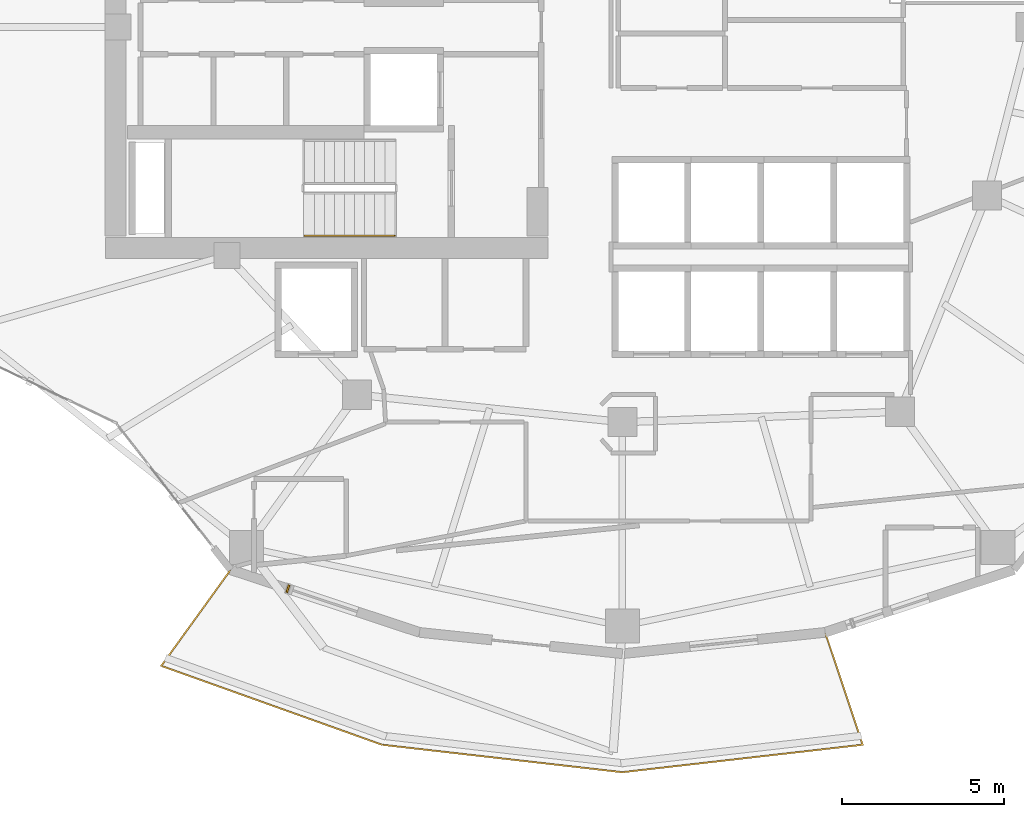
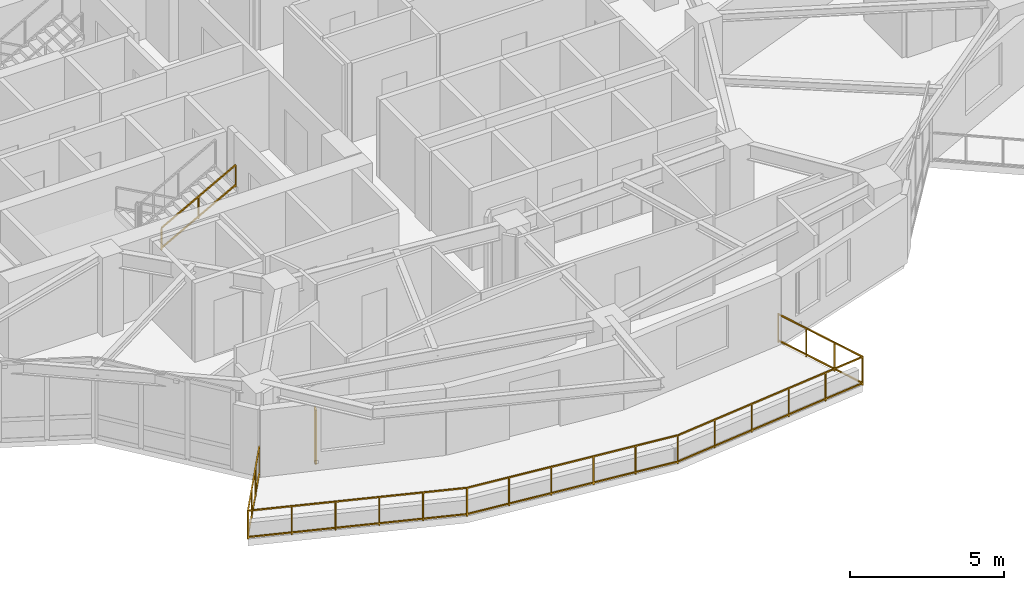
# One storey, part 15 of 18: 2 railings, 1 shading device.
"""IFC4 building model written with IfcOpenShell, lengths in metres."""

from ifc_helpers import new_model, si_unit, direction, frame, origin, origin_2d, place, context, subcontext, project, spatial, rectangle, extrude, material, type_object, element, save


model = new_model("IFC4")

# Units and contexts
model_context = context("Model", 3, precision=1e-05, world=origin(), true_north=direction((0.0, 1.0)))
body_context = subcontext(model_context, "Body", "Model", "MODEL_VIEW")
ifc_project = project(units=[si_unit("LENGTHUNIT", "METRE"), si_unit("AREAUNIT", "SQUARE_METRE"), si_unit("VOLUMEUNIT", "CUBIC_METRE"), si_unit("PLANEANGLEUNIT", "RADIAN"), si_unit("MASSUNIT", "GRAM", prefix="KILO")], contexts=[model_context])

# Site, building, storey
site_placement = place(None, origin())
site = spatial("IfcSite", under=ifc_project, at=site_placement, CompositionType="ELEMENT")
building_placement = place(site_placement, origin())
building = spatial("IfcBuilding", under=site, at=building_placement, Name="Kolvaren Gate Tower and Convention Centre", CompositionType="ELEMENT")
storey_placement = place(building_placement, frame((0.0, 0.0, 108.699951171875)))
storey = spatial("IfcBuildingStorey", under=building, at=storey_placement, Name="L26", CompositionType="ELEMENT", Elevation=108.699951171875)

# Railings
ifc_material_1 = material(Name="Brushed Stainless Steel Grade 316L", Category="steel")
railing_type_1 = type_object("IfcRailingType", Name="ARCH-RL-GUARD-1150", PredefinedType="GUARDRAIL", material=ifc_material_1)
railing_1_placement = place(storey_placement, frame((18.03125, 10.242431640625, 0.0)))
element("IfcRailing", 1, at=railing_1_placement, inside=storey, type_object=railing_type_1, Name="Tower L26 Terrace Perimeter Guardrail GR-3", PredefinedType="GUARDRAIL", context=body_context, shape_type="SweptSolid", body=[
    extrude(rectangle(XDim=0.048095703125, YDim=0.048095703125, at=origin_2d()), frame((-0.016357421875, -0.022705078125, 1.1259765625), z_axis=(-0.585212870465, -0.810879705161, 0.0), x_axis=(0.810879705161, -0.585212870465, 0.0)), (0.0, 0.0, 1.0), 3.603759765625),
    extrude(rectangle(XDim=0.048095703125, YDim=0.048095703125, at=origin_2d()), frame((-0.016357421875, -0.022705078125, 0.083984375), z_axis=(-0.585212870465, -0.810879705161, 0.0), x_axis=(0.810879705161, -0.585212870465, 0.0)), (0.0, 0.0, 1.0), 3.603759765625),
    extrude(rectangle(XDim=0.048095703125, YDim=0.048095703125, at=origin_2d()), frame((-2.115478515625, -2.977294921875, 1.1259765625), z_axis=(0.941628873241, -0.336652736627, 0.0), x_axis=(0.336652736627, 0.941628873241, 0.0)), (0.0, 0.0, 1.0), 7.17919921875),
    extrude(rectangle(XDim=0.048095703125, YDim=0.048095703125, at=origin_2d()), frame((-2.115478515625, -2.977294921875, 0.083984375), z_axis=(0.941628873241, -0.336652736627, 0.0), x_axis=(0.336652736627, 0.941628873241, 0.0)), (0.0, 0.0, 1.0), 7.17919921875),
    extrude(rectangle(XDim=0.048095703125, YDim=0.048095703125, at=origin_2d()), frame((4.698974609375, -5.40673828125, 1.1259765625), z_axis=(0.993523927361, -0.113623086387, 0.0), x_axis=(0.113623086387, 0.993523927361, 0.0)), (0.0, 0.0, 1.0), 7.414794921875),
    extrude(rectangle(XDim=0.048095703125, YDim=0.048095703125, at=origin_2d()), frame((4.698974609375, -5.40673828125, 0.083984375), z_axis=(0.993523927361, -0.113623086387, 0.0), x_axis=(0.113623086387, 0.993523927361, 0.0)), (0.0, 0.0, 1.0), 7.414794921875),
    extrude(rectangle(XDim=0.048095703125, YDim=0.048095703125, at=origin_2d()), frame((12.12158203125, -6.249267578125, 1.1259765625), z_axis=(0.993523927361, 0.113623086387, 0.0), x_axis=(-0.113623086387, 0.993523927361, 0.0)), (0.0, 0.0, 1.0), 7.414794921875),
    extrude(rectangle(XDim=0.048095703125, YDim=0.048095703125, at=origin_2d()), frame((12.12158203125, -6.249267578125, 0.083984375), z_axis=(0.993523927361, 0.113623086387, 0.0), x_axis=(-0.113623086387, 0.993523927361, 0.0)), (0.0, 0.0, 1.0), 7.414794921875),
    extrude(rectangle(XDim=0.048095703125, YDim=0.048095703125, at=origin_2d()), frame((19.507568359375, -5.376953125, 1.1259765625), z_axis=(-0.317588247294, 0.948228719867, 0.0), x_axis=(-0.948228719867, -0.317588247294, 0.0)), (0.0, 0.0, 1.0), 3.603759765625),
    extrude(rectangle(XDim=0.048095703125, YDim=0.048095703125, at=origin_2d()), frame((19.507568359375, -5.376953125, 0.083984375), z_axis=(-0.317588247294, 0.948228719867, 0.0), x_axis=(-0.948228719867, -0.317588247294, 0.0)), (0.0, 0.0, 1.0), 3.603759765625),
    extrude(rectangle(XDim=0.0419921875, YDim=0.0419921875, at=origin_2d()), origin(), (0.0, 0.0, 1.0), 1.14990234375),
    extrude(rectangle(XDim=0.0419921875, YDim=0.0419921875, at=origin_2d()), frame((-2.141845703125, -2.9677734375, 0.0)), (0.0, 0.0, 1.0), 1.14990234375),
    extrude(rectangle(XDim=0.0419921875, YDim=0.0419921875, at=origin_2d()), frame((-0.7138671875, -0.9892578125, 0.0)), (0.0, 0.0, 1.0), 1.099853515625),
    extrude(rectangle(XDim=0.0419921875, YDim=0.0419921875, at=origin_2d()), frame((-1.427978515625, -1.978515625, 0.0)), (0.0, 0.0, 1.0), 1.099853515625),
    extrude(rectangle(XDim=0.0419921875, YDim=0.0419921875, at=origin_2d()), frame((4.671142578125, -5.403564453125, 0.0)), (0.0, 0.0, 1.0), 1.14990234375),
    extrude(rectangle(XDim=0.0419921875, YDim=0.0419921875, at=origin_2d()), frame((-0.779296875, -3.454833984375, 0.0)), (0.0, 0.0, 1.0), 1.099853515625),
    extrude(rectangle(XDim=0.0419921875, YDim=0.0419921875, at=origin_2d()), frame((0.583251953125, -3.942138671875, 0.0)), (0.0, 0.0, 1.0), 1.099853515625),
    extrude(rectangle(XDim=0.0419921875, YDim=0.0419921875, at=origin_2d()), frame((1.946044921875, -4.42919921875, 0.0)), (0.0, 0.0, 1.0), 1.099853515625),
    extrude(rectangle(XDim=0.0419921875, YDim=0.0419921875, at=origin_2d()), frame((3.30859375, -4.91650390625, 0.0)), (0.0, 0.0, 1.0), 1.099853515625),
    extrude(rectangle(XDim=0.0419921875, YDim=0.0419921875, at=origin_2d()), frame((12.09375, -6.25244140625, 0.0)), (0.0, 0.0, 1.0), 1.14990234375),
    extrude(rectangle(XDim=0.0419921875, YDim=0.0419921875, at=origin_2d()), frame((6.15576171875, -5.5732421875, 0.0)), (0.0, 0.0, 1.0), 1.099853515625),
    extrude(rectangle(XDim=0.0419921875, YDim=0.0419921875, at=origin_2d()), frame((7.64013671875, -5.7431640625, 0.0)), (0.0, 0.0, 1.0), 1.099853515625),
    extrude(rectangle(XDim=0.0419921875, YDim=0.0419921875, at=origin_2d()), frame((9.124755859375, -5.912841796875, 0.0)), (0.0, 0.0, 1.0), 1.099853515625),
    extrude(rectangle(XDim=0.0419921875, YDim=0.0419921875, at=origin_2d()), frame((10.609130859375, -6.082763671875, 0.0)), (0.0, 0.0, 1.0), 1.099853515625),
    extrude(rectangle(XDim=0.0419921875, YDim=0.0419921875, at=origin_2d()), frame((19.516357421875, -5.403564453125, 0.0)), (0.0, 0.0, 1.0), 1.14990234375),
    extrude(rectangle(XDim=0.0419921875, YDim=0.0419921875, at=origin_2d()), frame((13.578369140625, -6.082763671875, 0.0)), (0.0, 0.0, 1.0), 1.099853515625),
    extrude(rectangle(XDim=0.0419921875, YDim=0.0419921875, at=origin_2d()), frame((15.062744140625, -5.912841796875, 0.0)), (0.0, 0.0, 1.0), 1.099853515625),
    extrude(rectangle(XDim=0.0419921875, YDim=0.0419921875, at=origin_2d()), frame((16.54736328125, -5.7431640625, 0.0)), (0.0, 0.0, 1.0), 1.099853515625),
    extrude(rectangle(XDim=0.0419921875, YDim=0.0419921875, at=origin_2d()), frame((18.03173828125, -5.5732421875, 0.0)), (0.0, 0.0, 1.0), 1.099853515625),
    extrude(rectangle(XDim=0.0419921875, YDim=0.0419921875, at=origin_2d()), frame((18.35400390625, -1.93310546875, 0.0)), (0.0, 0.0, 1.0), 1.14990234375),
    extrude(rectangle(XDim=0.0419921875, YDim=0.0419921875, at=origin_2d()), frame((19.12890625, -4.246826171875, 0.0)), (0.0, 0.0, 1.0), 1.099853515625),
    extrude(rectangle(XDim=0.0419921875, YDim=0.0419921875, at=origin_2d()), frame((18.741455078125, -3.08984375, 0.0)), (0.0, 0.0, 1.0), 1.099853515625),
])
railing_type_2 = type_object("IfcRailingType", Name="ARCH-RL-HANDRAIL-920", PredefinedType="HANDRAIL", material=ifc_material_1)
railing_2_placement = place(storey_placement, frame((20.31005859375, 20.550048828125, 1.8701171875)))
element("IfcRailing", 2, at=railing_2_placement, inside=storey, type_object=railing_type_2, Name="L26 ST-T2 stair handrail 2", PredefinedType="HANDRAIL", context=body_context, shape_type="SweptSolid", body=[
    extrude(rectangle(XDim=0.048095703125, YDim=0.048095703125, at=origin_2d()), frame((0.0, 0.0, 0.8759765625), z_axis=(0.876811365212, 0.0, 0.480834513982), x_axis=(0.0, 1.0, 0.0)), (0.0, 0.0, 1.0), 3.18212890625),
    extrude(rectangle(XDim=0.048095703125, YDim=0.048095703125, at=origin_2d()), frame((0.0, 0.0, 0.083984375), z_axis=(0.876811365212, 0.0, 0.480834513982), x_axis=(0.0, 1.0, 0.0)), (0.0, 0.0, 1.0), 3.18212890625),
    extrude(rectangle(XDim=0.0419921875, YDim=0.0419921875, at=origin_2d()), origin(), (0.0, 0.0, 1.0), 0.849853515625),
    extrude(rectangle(XDim=0.0419921875, YDim=0.0419921875, at=origin_2d()), frame((2.7900390625, 0.0, 1.530029296875)), (0.0, 0.0, 1.0), 0.849853515625),
    extrude(rectangle(XDim=0.0419921875, YDim=0.0419921875, at=origin_2d()), frame((1.39501953125, 0.0, 0.76513671875)), (0.0, 0.0, 1.0), 0.849853515625),
])

# Shading device
ifc_material_2 = material(Name="Kiln-Fired Bogota Terracotta Ceramic Louvre Profile", Category="masonry")
shading_device_type = type_object("IfcShadingDeviceType", Name="ARCH-SHD-FIN-180", PredefinedType="JALOUSIE", material=ifc_material_2)
shading_device_placement = place(storey_placement, frame((19.799560546875, 9.656494140625, 0.22021484375), z_axis=(0.0, 0.0, 1.0), x_axis=(0.949240081615, -0.314552487599, 0.0)))
element("IfcShadingDevice", 3, at=shading_device_placement, inside=storey, type_object=shading_device_type, Name="Ceramic Vertical Brise-Soleil Fin FN-L26-16", PredefinedType="JALOUSIE", context=body_context, shape_type="SweptSolid", body=[
    extrude(rectangle(XDim=0.06005859375, YDim=0.239990234375, at=origin_2d()), origin(), (0.0, 0.0, 1.0), 2.14990234375),
])

save(model, "model.ifc")
